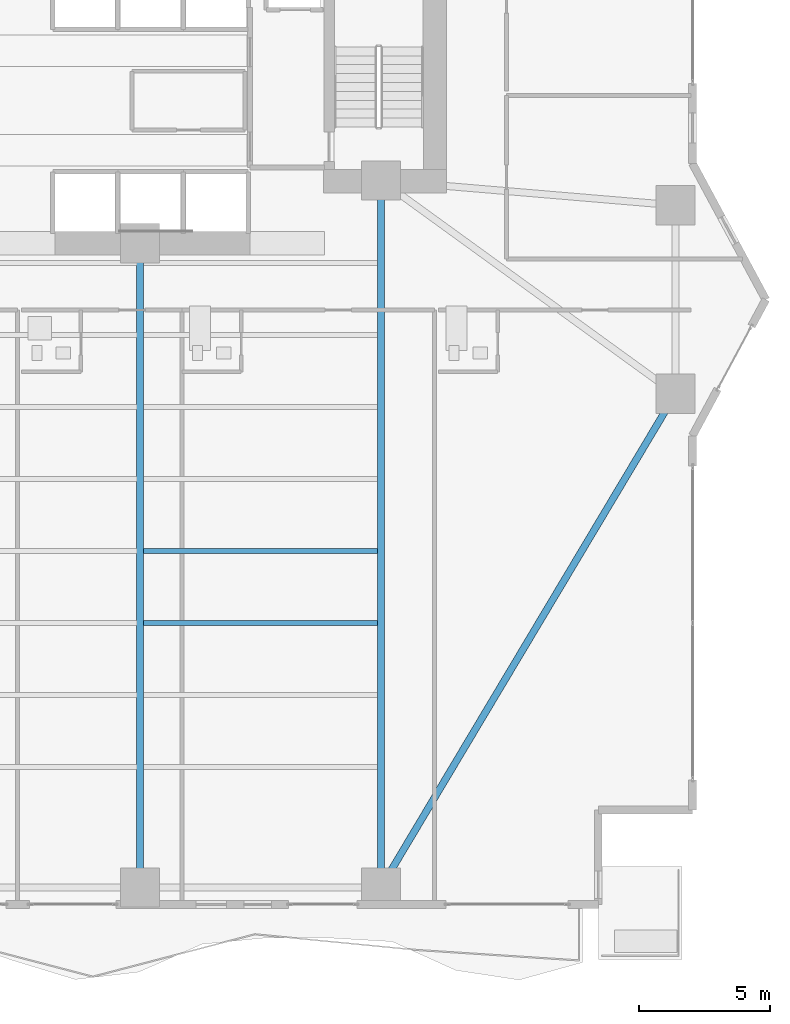
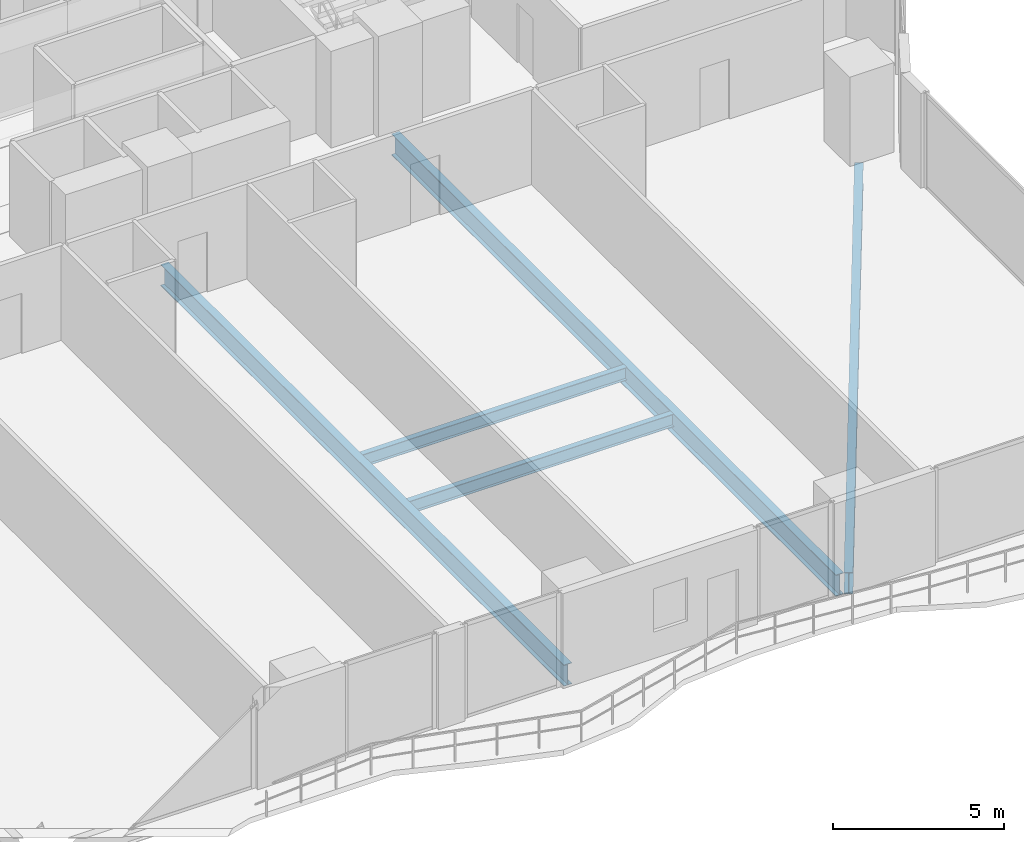
# One storey, part 9 of 30: 5 beams.
"""IFC4 building model written with IfcOpenShell, lengths in metres."""

from ifc_helpers import new_model, si_unit, direction, frame, origin, origin_2d, place, context, subcontext, project, spatial, i_section, extrude, material, material_profile, profile_set, type_object, element, save


model = new_model("IFC4")

# Units and contexts
model_context = context("Model", 3, precision=1e-05, world=origin(), true_north=direction((0.0, 1.0)))
body_context = subcontext(model_context, "Body", "Model", "MODEL_VIEW")
ifc_project = project(units=[si_unit("LENGTHUNIT", "METRE"), si_unit("AREAUNIT", "SQUARE_METRE"), si_unit("VOLUMEUNIT", "CUBIC_METRE"), si_unit("PLANEANGLEUNIT", "RADIAN"), si_unit("MASSUNIT", "GRAM", prefix="KILO")], contexts=[model_context])

# Site, building, storey
site_placement = place(None, origin())
site = spatial("IfcSite", under=ifc_project, at=site_placement, CompositionType="ELEMENT")
building_placement = place(site_placement, origin())
building = spatial("IfcBuilding", under=site, at=building_placement, Name="Zuhayl Quay Hotel", CompositionType="ELEMENT")
storey_placement = place(building_placement, frame((0.0, 0.0, 86.0)))
storey = spatial("IfcBuildingStorey", under=building, at=storey_placement, Name="L21", CompositionType="ELEMENT", Elevation=86.0)

# Beams
ifc_material = material(Name="Steel ASTM A992 Grade 50", Category="steel")
ifc_material_profile_1 = material_profile(ifc_material, i_section(OverallWidth=0.26708984375, OverallDepth=0.761962890625, WebThickness=0.014404296875, FlangeThickness=0.021484375, at=origin_2d()), Name="W30X116")
ifc_profile_set_1 = profile_set([ifc_material_profile_1], Name="Steel ASTM A992 Grade 50")
beam_type_1 = type_object("IfcBeamType", Name="BM_B1_W30X116", PredefinedType="BEAM", material=ifc_profile_set_1)
beam_1_placement = place(storey_placement, frame((14.05615234375, -22.020751953125, -0.60107421875), z_axis=(0.512482593247, 0.85869761361, 0.0), x_axis=(-0.85869761361, 0.512482593247, 0.0)))
element("IfcBeam", 1, at=beam_1_placement, inside=storey, type_object=beam_type_1, Name="L21 Floor Beam RG_L21_04", PredefinedType="BEAM", context=body_context, shape_type="SweptSolid", body=[
    extrude(i_section(OverallWidth=0.26708984375, OverallDepth=0.761962890625, WebThickness=0.014404296875, FlangeThickness=0.021484375, at=origin_2d()), origin(), (0.0, 0.0, 1.0), 20.9521484375),
])
beam_2_placement = place(storey_placement, frame((4.60009765625, -21.949951171875, -0.60107421875), z_axis=(0.0, 1.0, 0.0), x_axis=(-1.0, 0.0, 0.0)))
element("IfcBeam", 2, at=beam_2_placement, inside=storey, type_object=beam_type_1, Name="L21 Floor Beam FG_S_L21_3", PredefinedType="BEAM", context=body_context, shape_type="SweptSolid", body=[
    extrude(i_section(OverallWidth=0.26708984375, OverallDepth=0.761962890625, WebThickness=0.014404296875, FlangeThickness=0.021484375, at=origin_2d()), origin(), (0.0, 0.0, 1.0), 23.64990234375),
])
beam_3_placement = place(storey_placement, frame((13.800048828125, -21.949951171875, -0.60107421875), z_axis=(0.0, 1.0, 0.0), x_axis=(-1.0, 0.0, 0.0)))
element("IfcBeam", 3, at=beam_3_placement, inside=storey, type_object=beam_type_1, Name="L21 Floor Beam FG_S_L21_4", PredefinedType="BEAM", context=body_context, shape_type="SweptSolid", body=[
    extrude(i_section(OverallWidth=0.26708984375, OverallDepth=0.761962890625, WebThickness=0.014404296875, FlangeThickness=0.021484375, at=origin_2d()), origin(), (0.0, 0.0, 1.0), 26.050048828125),
])
ifc_material_profile_2 = material_profile(ifc_material, i_section(OverallWidth=0.18994140625, OverallDepth=0.45703125, WebThickness=0.009033203125, FlangeThickness=0.014404296875, at=origin_2d()), Name="W18X50")
ifc_profile_set_2 = profile_set([ifc_material_profile_2], Name="Steel ASTM A992 Grade 50")
beam_type_2 = type_object("IfcBeamType", Name="BM_J2_W18X50", PredefinedType="JOIST", material=ifc_profile_set_2)
for number, where, z_axis, x_axis, name in (
    (4, (4.7255859375, -12.35009765625, -0.448486328125), (1.0, 0.0, 0.0), (0.0, 1.0, 0.0), "L21 Floor Beam FJ_L21_5_3"),
    (5, (4.7255859375, -9.60009765625, -0.448486328125), (1.0, 0.0, 0.0), (0.0, 1.0, 0.0), "L21 Floor Beam FJ_L21_6_3"),
):
    element("IfcBeam", number, at=place(storey_placement, frame(where, z_axis=z_axis, x_axis=x_axis)), inside=storey, type_object=beam_type_2, Name=name, PredefinedType="JOIST", context=body_context, shape_type="SweptSolid", body=[
        extrude(i_section(OverallWidth=0.18994140625, OverallDepth=0.45703125, WebThickness=0.009033203125, FlangeThickness=0.014404296875, at=origin_2d()), origin(), (0.0, 0.0, 1.0), 8.948974609375),
    ])

save(model, "model.ifc")
